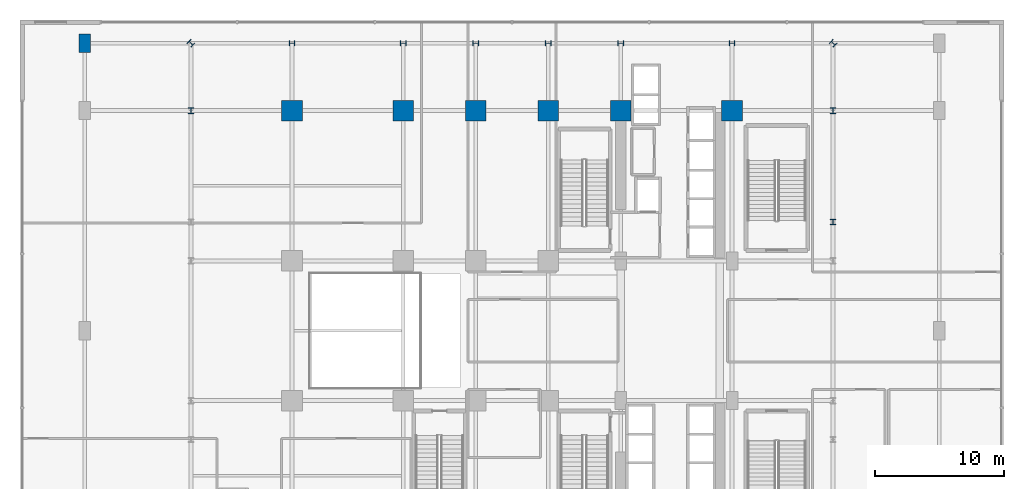
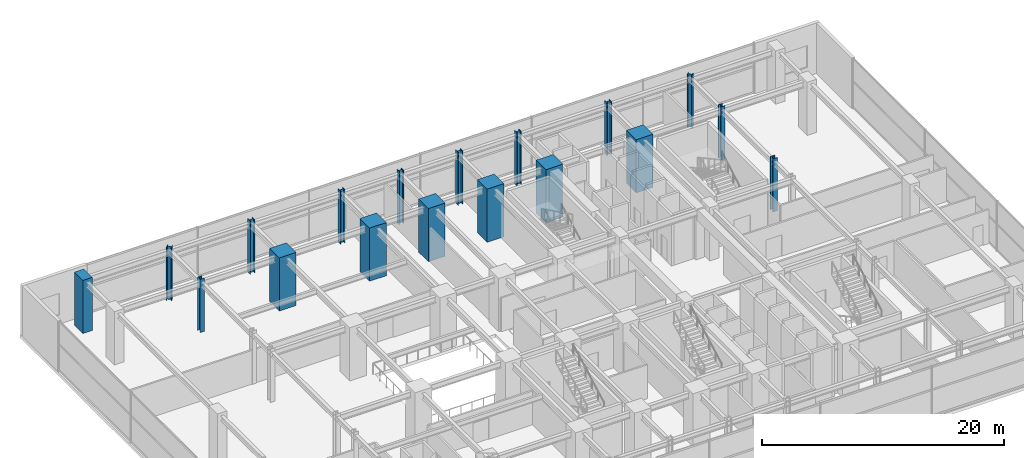
# One storey, part 2 of 32: 18 columns.
"""IFC4 building model written with IfcOpenShell, lengths in metres."""

from ifc_helpers import new_model, si_unit, direction, frame, origin, origin_2d, place, context, subcontext, project, spatial, rectangle, i_section, extrude, source, transform, mapped, material, material_profile, profile_set, type_object, element, save


model = new_model("IFC4")

# Units and contexts
model_context = context("Model", 3, precision=1e-05, world=origin(), true_north=direction((0.0, 1.0)))
body_context = subcontext(model_context, "Body", "Model", "MODEL_VIEW")
ifc_project = project(units=[si_unit("LENGTHUNIT", "METRE"), si_unit("AREAUNIT", "SQUARE_METRE"), si_unit("VOLUMEUNIT", "CUBIC_METRE"), si_unit("PLANEANGLEUNIT", "RADIAN"), si_unit("MASSUNIT", "GRAM", prefix="KILO")], contexts=[model_context])

# Site, building, storey
site_placement = place(None, origin())
site = spatial("IfcSite", under=ifc_project, at=site_placement, CompositionType="ELEMENT")
building_placement = place(site_placement, origin())
building = spatial("IfcBuilding", under=site, at=building_placement, Name="Nahalor Promenade Grand Hotel", CompositionType="ELEMENT")
storey_placement = place(building_placement, frame((0.0, 0.0, 5.39990234375)))
storey = spatial("IfcBuildingStorey", under=building, at=storey_placement, Name="L01", CompositionType="ELEMENT", Elevation=5.39990234375)

# Columns
ifc_material_1 = material(Name="Concrete B-70 (C60/75)", Category="concrete")
ifc_material_profile_1 = material_profile(ifc_material_1, rectangle(XDim=1.6, YDim=1.6, at=origin_2d()), Name="RC 1600x1600")
ifc_profile_set_1 = profile_set([ifc_material_profile_1], Name="Concrete B-70 (C60/75)")
column_type_1 = type_object("IfcColumnType", Name="Col-RC-1600", PredefinedType="COLUMN", material=ifc_profile_set_1)
shared_shape_1 = source(origin(), body_context, "Body", "SweptSolid", [
    extrude(rectangle(XDim=1.6, YDim=1.6, at=origin_2d()), origin(), (0.0, 0.0, 1.0), 5.35498046875),
])
for number, where, z_axis, x_axis, name in (
    (1, (-17.0, 17.0, 0.0), (0.0, 0.0, 1.0), (1.0, 0.0, 0.0), "COL-L01-I03"),
    (2, (-8.39990234375, 17.0, 0.0), (0.0, 0.0, 1.0), (1.0, 0.0, 0.0), "COL-L01-I13"),
    (3, (-2.800048828125, 17.0, 0.0), (0.0, 0.0, 1.0), (1.0, 0.0, 0.0), "COL-L01-I23"),
    (4, (2.800048828125, 17.0, 0.0), (0.0, 0.0, 1.0), (1.0, 0.0, 0.0), "COL-L01-I33"),
    (5, (8.39990234375, 17.0, 0.0), (0.0, 0.0, 1.0), (1.0, 0.0, 0.0), "COL-L01-I43"),
    (6, (17.0, 17.0, 0.0), (0.0, 0.0, 1.0), (1.0, 0.0, 0.0), "COL-L01-I53"),
):
    element("IfcColumn", number, at=place(storey_placement, frame(where, z_axis=z_axis, x_axis=x_axis)), inside=storey, type_object=column_type_1, Name=name, PredefinedType="COLUMN", context=body_context, shape_type="MappedRepresentation", body=[
        mapped(shared_shape_1, transform((0.0, 0.0, 0.0), scale=1.0)),
    ])
ifc_material_2 = material(Name="Concrete B-60 (C50/60)", Category="concrete")
ifc_material_profile_2 = material_profile(ifc_material_2, rectangle(XDim=0.9, YDim=1.4, at=origin_2d()), Name="RC 900x1400")
ifc_profile_set_2 = profile_set([ifc_material_profile_2], Name="Concrete B-60 (C50/60)")
column_type_2 = type_object("IfcColumnType", Name="Col-Pilaster-1400", PredefinedType="PILASTER", material=ifc_profile_set_2)
shared_shape_2 = source(origin(), body_context, "Body", "SweptSolid", [
    extrude(rectangle(XDim=0.9, YDim=1.4, at=origin_2d()), origin(), (0.0, 0.0, 1.0), 5.35498046875),
])
column_placement = place(storey_placement, frame((-33.0, 22.199951171875, 0.0), z_axis=(0.0, 0.0, 1.0), x_axis=(1.0, 0.0, 0.0)))
element("IfcColumn", 7, at=column_placement, inside=storey, type_object=column_type_2, Name="COL-L01-PC-W4", PredefinedType="PILASTER", context=body_context, shape_type="MappedRepresentation", body=[
    mapped(shared_shape_2, transform((0.0, 0.0, 0.0), scale=1.0)),
])
ifc_material_3 = material(Name="Steel S355J2", Category="steel")
ifc_material_profile_3 = material_profile(ifc_material_3, i_section(OverallWidth=0.416, OverallDepth=0.446, WebThickness=0.025, FlangeThickness=0.04, at=origin_2d()), Name="HD 400x509")
ifc_profile_set_3 = profile_set([ifc_material_profile_3], Name="Steel S355J2")
column_type_3 = type_object("IfcColumnType", Name="Col-Steel-HD509", PredefinedType="COLUMN", material=ifc_profile_set_3)
shared_shape_3 = source(origin(), body_context, "Body", "SweptSolid", [
    extrude(i_section(OverallWidth=0.416, OverallDepth=0.446, WebThickness=0.025, FlangeThickness=0.04, at=origin_2d()), origin(), (0.0, 0.0, 1.0), 5.35498046875),
])
for number, where, z_axis, x_axis, name in (
    (8, (24.800048828125, 8.39990234375, 0.0), (0.0, 0.0, 1.0), (1.0, 0.0, 0.0), "COL-L01-PW-E4"),
    (9, (-24.800048828125, 17.0, 0.0), (0.0, 0.0, 1.0), (1.0, 0.0, 0.0), "COL-L01-PW-W5"),
    (10, (24.800048828125, 17.0, 0.0), (0.0, 0.0, 1.0), (1.0, 0.0, 0.0), "COL-L01-PW-E5"),
    (11, (-17.0, 22.199951171875, 0.0), (0.0, 0.0, 1.0), (0.0, 1.0, 0.0), "COL-L01-PN-N0"),
    (12, (-8.39990234375, 22.199951171875, 0.0), (0.0, 0.0, 1.0), (0.0, 1.0, 0.0), "COL-L01-PN-N1"),
    (13, (-2.800048828125, 22.199951171875, 0.0), (0.0, 0.0, 1.0), (0.0, 1.0, 0.0), "COL-L01-PN-N2"),
    (14, (2.800048828125, 22.199951171875, 0.0), (0.0, 0.0, 1.0), (0.0, 1.0, 0.0), "COL-L01-PN-N3"),
    (15, (8.39990234375, 22.199951171875, 0.0), (0.0, 0.0, 1.0), (0.0, 1.0, 0.0), "COL-L01-PN-N4"),
    (16, (17.0, 22.199951171875, 0.0), (0.0, 0.0, 1.0), (0.0, 1.0, 0.0), "COL-L01-PN-N5"),
    (17, (-24.800048828125, 22.199951171875, 0.0), (0.0, 0.0, 1.0), (0.707106781187, 0.707106781187, 0.0), "COL-L01-CRN-NW"),
    (18, (24.800048828125, 22.199951171875, 0.0), (0.0, 0.0, 1.0), (0.707106781187, 0.707106781187, 0.0), "COL-L01-CRN-NE"),
):
    element("IfcColumn", number, at=place(storey_placement, frame(where, z_axis=z_axis, x_axis=x_axis)), inside=storey, type_object=column_type_3, Name=name, PredefinedType="COLUMN", context=body_context, shape_type="MappedRepresentation", body=[
        mapped(shared_shape_3, transform((0.0, 0.0, 0.0), scale=1.0)),
    ])

save(model, "model.ifc")
